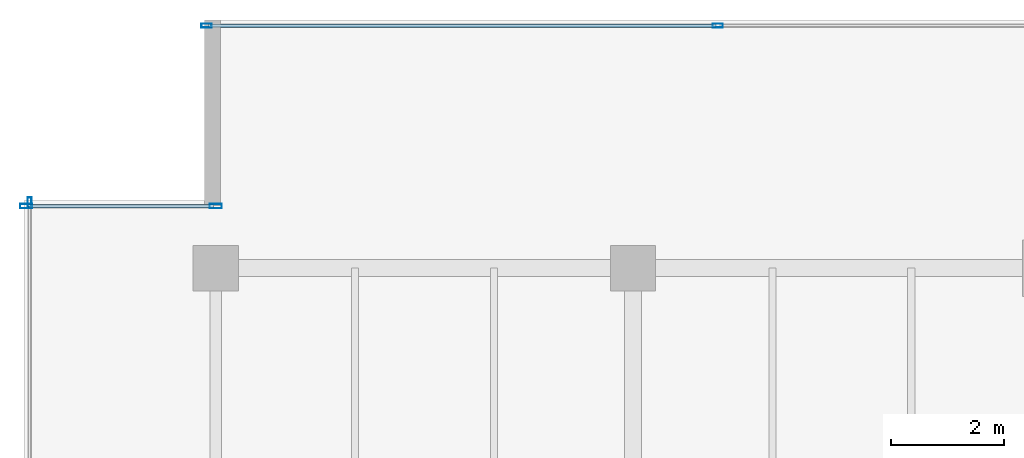
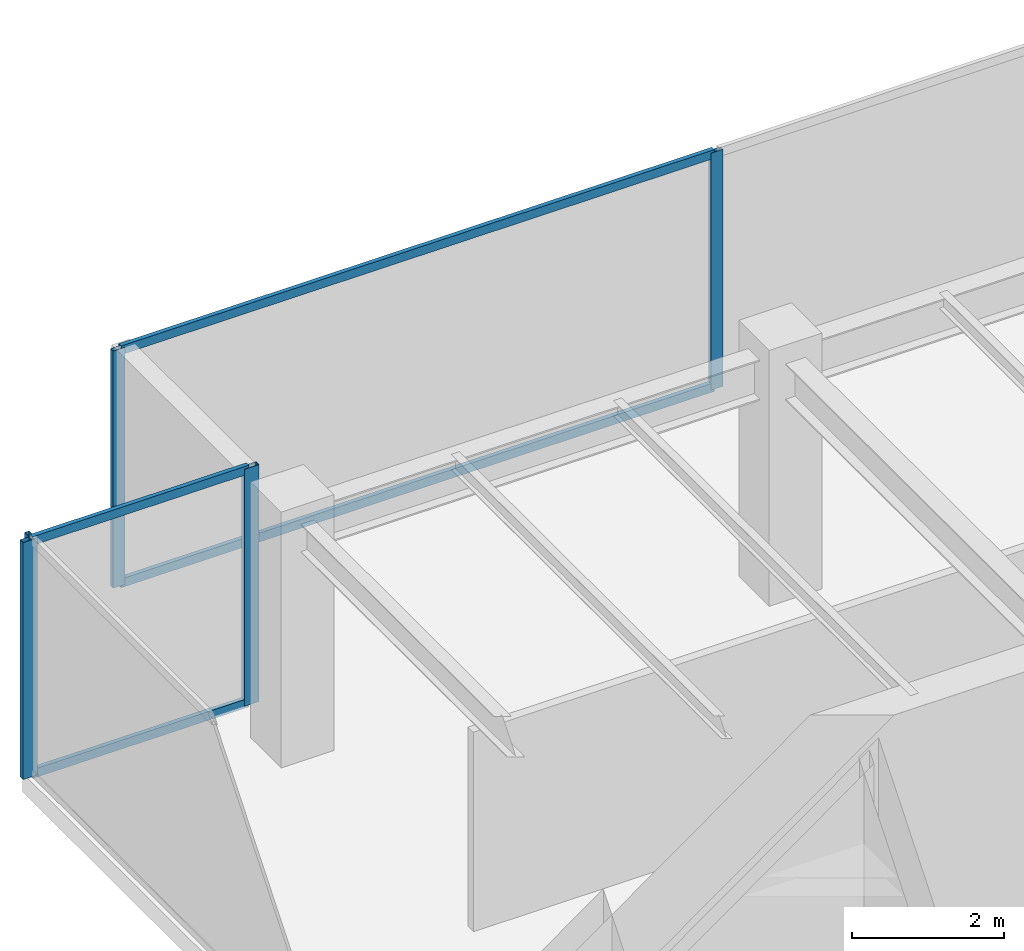
# One storey, part 15 of 33: 9 members, 3 elements without a shape of their own.
"""IFC4 building model written with IfcOpenShell, lengths in metres."""

from ifc_helpers import new_model, si_unit, direction, frame, origin, origin_2d, place, context, subcontext, project, spatial, hollow_rectangle, extrude, source, transform, mapped, material, layer, layer_set, material_profile, profile_set, type_object, type_shapes, element, aggregate, save


model = new_model("IFC4")

# Units and contexts
model_context = context("Model", 3, precision=1e-05, world=origin(), true_north=direction((0.0, 1.0)))
body_context = subcontext(model_context, "Body", "Model", "MODEL_VIEW")
ifc_project = project(units=[si_unit("LENGTHUNIT", "METRE"), si_unit("AREAUNIT", "SQUARE_METRE"), si_unit("VOLUMEUNIT", "CUBIC_METRE"), si_unit("PLANEANGLEUNIT", "RADIAN"), si_unit("MASSUNIT", "GRAM", prefix="KILO")], contexts=[model_context])

# Site, building, storey
site_placement = place(None, origin())
site = spatial("IfcSite", under=ifc_project, at=site_placement, CompositionType="ELEMENT")
building_placement = place(site_placement, origin())
building = spatial("IfcBuilding", under=site, at=building_placement, Name="Haelvirn Gate Laboratories", CompositionType="ELEMENT")
storey_placement = place(building_placement, frame((0.0, 0.0, 267.0)))
storey = spatial("IfcBuildingStorey", under=building, at=storey_placement, Name="L64", CompositionType="ELEMENT", Elevation=267.0)

# Curtain wall, members
ifc_material_1 = material(Name="Anodised bronze unitised aluminium & triple low-E glass", Category="aluminium")
ifc_layer_1 = layer(ifc_material_1, 0.181884765625, Name="CW-SYS-5")
ifc_layer_set_1 = layer_set([ifc_layer_1], Name="Anodised bronze unitised aluminium & triple low-E glass")
curtain_wall_type_1 = type_object("IfcCurtainWallType", Name="CW-SYS-5", PredefinedType="NOTDEFINED", material=ifc_layer_set_1)
curtain_wall_1_placement = place(storey_placement, origin())
curtain_wall_1 = element("IfcCurtainWall", 1, at=curtain_wall_1_placement, inside=storey, type_object=curtain_wall_type_1, Name="L64 Unitised Curtain Wall CW-L64-P0-E16-1", PredefinedType="NOTDEFINED")
ifc_material_2 = material(Name="Extruded aluminium 6063-T6 (anodised bronze)", Category="aluminium")
ifc_material_profile_1 = material_profile(ifc_material_2, hollow_rectangle(XDim=0.06494140625, YDim=0.139892578125, WallThickness=0.00390625, at=origin_2d()), Name="CWT-140x65x4")
ifc_profile_set_1 = profile_set([ifc_material_profile_1], Name="Extruded aluminium 6063-T6 (anodised bronze)")
member_type_1 = type_object("IfcMemberType", Name="CWT-T140", PredefinedType="USERDEFINED", material=ifc_profile_set_1)
shared_shape_1 = source(origin(), body_context, "Body", "SweptSolid", [
    extrude(hollow_rectangle(XDim=0.06494140625, YDim=0.139892578125, WallThickness=0.00390625, at=origin_2d()), origin(), (0.0, 0.0, 1.0), 3.280029296875),
])
member_1_placement = place(storey_placement, frame((4.080078125, 42.699951171875, 0.032470703125), z_axis=(1.0, 0.0, 0.0), x_axis=(0.0, 1.0, 0.0)))
member_1 = element("IfcMember", 2, at=member_1_placement, type_object=member_type_1, Name="CW5 transom 1.1", ObjectType="TRANSOM", PredefinedType="USERDEFINED", context=body_context, shape_type="MappedRepresentation", body=[
    mapped(shared_shape_1, transform((0.0, 0.0, 0.0), scale=1.0)),
])
member_2_placement = place(storey_placement, frame((4.080078125, 42.699951171875, 3.767578125), z_axis=(1.0, 0.0, 0.0), x_axis=(0.0, 1.0, 0.0)))
member_2 = element("IfcMember", 3, at=member_2_placement, type_object=member_type_1, Name="CW5 transom 1.2", ObjectType="TRANSOM", PredefinedType="USERDEFINED", context=body_context, shape_type="MappedRepresentation", body=[
    mapped(shared_shape_1, transform((0.0, 0.0, 0.0), scale=1.0)),
])

ifc_layer_2 = layer(ifc_material_1, 0.176025390625, Name="CW-SYS-4")
ifc_layer_set_2 = layer_set([ifc_layer_2], Name="Anodised bronze unitised aluminium & triple low-E glass")
curtain_wall_type_2 = type_object("IfcCurtainWallType", Name="CW-SYS-4", PredefinedType="NOTDEFINED", material=ifc_layer_set_2)
curtain_wall_2_placement = place(storey_placement, origin())
curtain_wall_2 = element("IfcCurtainWall", 4, at=curtain_wall_2_placement, inside=storey, type_object=curtain_wall_type_2, Name="L64 Unitised Curtain Wall CW-L64-P0-E14-1", PredefinedType="NOTDEFINED")
ifc_material_profile_2 = material_profile(ifc_material_2, hollow_rectangle(XDim=0.070068359375, YDim=0.179931640625, WallThickness=0.0048828125, at=origin_2d()), Name="CWM-180x70x5")
ifc_profile_set_2 = profile_set([ifc_material_profile_2], Name="Extruded aluminium 6063-T6 (anodised bronze)")
member_type_2 = type_object("IfcMemberType", Name="CWM-T180", PredefinedType="MULLION", material=ifc_profile_set_2)
shared_shape_2 = source(origin(), body_context, "Body", "SweptSolid", [
    extrude(hollow_rectangle(XDim=0.070068359375, YDim=0.179931640625, WallThickness=0.0048828125, at=origin_2d()), origin(), (0.0, 0.0, 1.0), 3.800048828125),
])
type_shapes(member_type_2, [shared_shape_2])
member_3_placement = place(storey_placement, frame((7.235107421875, 45.89990234375, 0.0), z_axis=(0.0, 0.0, 1.0), x_axis=(0.0, 1.0, 0.0)))
member_3 = element("IfcMember", 5, at=member_3_placement, type_object=member_type_2, Name="CW4 mullion 1", PredefinedType="MULLION", context=body_context, shape_type="MappedRepresentation", body=[
    mapped(shared_shape_2, transform((0.0, 0.0, 0.0), scale=1.0)),
])
member_4_placement = place(storey_placement, frame((16.300048828125, 45.89990234375, 0.0), z_axis=(0.0, 0.0, 1.0), x_axis=(0.0, 1.0, 0.0)))
member_4 = element("IfcMember", 6, at=member_4_placement, type_object=member_type_2, Name="CW4 mullion 2", PredefinedType="MULLION", context=body_context, shape_type="MappedRepresentation", body=[
    mapped(shared_shape_2, transform((0.0, 0.0, 0.0), scale=1.0)),
])

# Curtain wall, member
curtain_wall_3_placement = place(storey_placement, origin())
curtain_wall_3 = element("IfcCurtainWall", 7, at=curtain_wall_3_placement, inside=storey, type_object=curtain_wall_type_2, Name="L64 Unitised Curtain Wall CW-L64-P0-E17", PredefinedType="NOTDEFINED")
member_5_placement = place(storey_placement, frame((4.10009765625, 42.764892578125, 0.0), z_axis=(0.0, 0.0, 1.0), x_axis=(1.0, 0.0, 0.0)))
member_5 = element("IfcMember", 8, at=member_5_placement, type_object=member_type_2, Name="CW4 mullion 1", PredefinedType="MULLION", context=body_context, shape_type="MappedRepresentation", body=[
    mapped(shared_shape_2, transform((0.0, 0.0, 0.0), scale=1.0)),
])
aggregate(curtain_wall_3, [member_5])

# Member
shared_shape_3 = source(origin(), body_context, "Body", "SweptSolid", [
    extrude(hollow_rectangle(XDim=0.06494140625, YDim=0.139892578125, WallThickness=0.00390625, at=origin_2d()), origin(), (0.0, 0.0, 1.0), 8.994873046875),
])
type_shapes(member_type_1, [shared_shape_1, shared_shape_3])
member_6_placement = place(storey_placement, frame((7.27001953125, 45.89990234375, 0.032470703125), z_axis=(1.0, 0.0, 0.0), x_axis=(0.0, 1.0, 0.0)))
member_6 = element("IfcMember", 9, at=member_6_placement, type_object=member_type_1, Name="CW4 transom 1.1", ObjectType="TRANSOM", PredefinedType="USERDEFINED", context=body_context, shape_type="MappedRepresentation", body=[
    mapped(shared_shape_3, transform((0.0, 0.0, 0.0), scale=1.0)),
])

member_7_placement = place(storey_placement, frame((7.27001953125, 45.89990234375, 3.767578125), z_axis=(1.0, 0.0, 0.0), x_axis=(0.0, 1.0, 0.0)))
member_7 = element("IfcMember", 10, at=member_7_placement, type_object=member_type_1, Name="CW4 transom 1.2", ObjectType="TRANSOM", PredefinedType="USERDEFINED", context=body_context, shape_type="MappedRepresentation", body=[
    mapped(shared_shape_3, transform((0.0, 0.0, 0.0), scale=1.0)),
])

aggregate(curtain_wall_2, [member_3, member_4, member_6, member_7])

ifc_material_profile_3 = material_profile(ifc_material_2, hollow_rectangle(XDim=0.080078125, YDim=0.219970703125, WallThickness=0.006103515625, at=origin_2d()), Name="CWM-220x80x6")
ifc_profile_set_3 = profile_set([ifc_material_profile_3], Name="Extruded aluminium 6063-T6 (anodised bronze)")
member_type_3 = type_object("IfcMemberType", Name="CWM-T220", PredefinedType="MULLION", material=ifc_profile_set_3)
shared_shape_4 = source(origin(), body_context, "Body", "SweptSolid", [
    extrude(hollow_rectangle(XDim=0.080078125, YDim=0.219970703125, WallThickness=0.006103515625, at=origin_2d()), origin(), (0.0, 0.0, 1.0), 3.800048828125),
])
type_shapes(member_type_3, [shared_shape_4])
member_8_placement = place(storey_placement, frame((4.0400390625, 42.699951171875, 0.0), z_axis=(0.0, 0.0, 1.0), x_axis=(0.0, 1.0, 0.0)))
member_8 = element("IfcMember", 11, at=member_8_placement, type_object=member_type_3, Name="CW5 mullion 1", PredefinedType="MULLION", context=body_context, shape_type="MappedRepresentation", body=[
    mapped(shared_shape_4, transform((0.0, 0.0, 0.0), scale=1.0)),
])

member_9_placement = place(storey_placement, frame((7.39990234375, 42.699951171875, 0.0), z_axis=(0.0, 0.0, 1.0), x_axis=(0.0, 1.0, 0.0)))
member_9 = element("IfcMember", 12, at=member_9_placement, type_object=member_type_3, Name="CW5 mullion 2", PredefinedType="MULLION", context=body_context, shape_type="MappedRepresentation", body=[
    mapped(shared_shape_4, transform((0.0, 0.0, 0.0), scale=1.0)),
])

aggregate(curtain_wall_1, [member_8, member_9, member_1, member_2])

save(model, "model.ifc")
